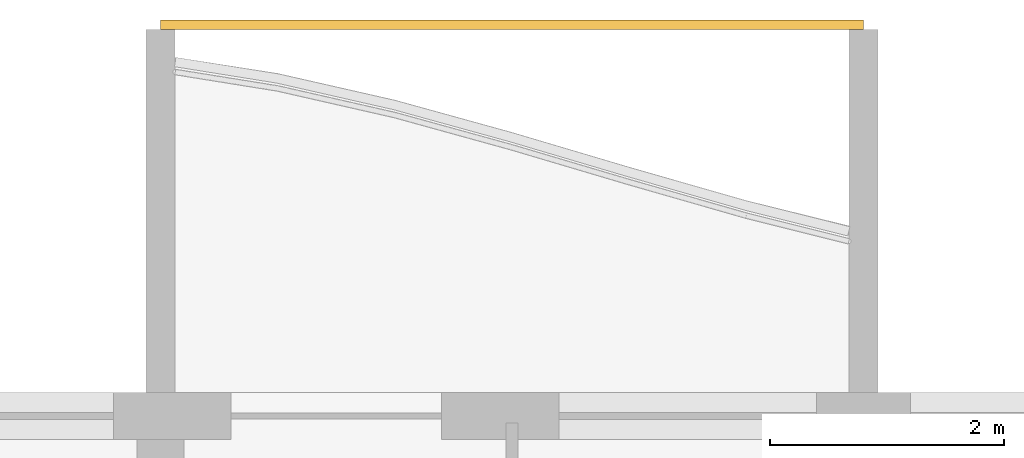
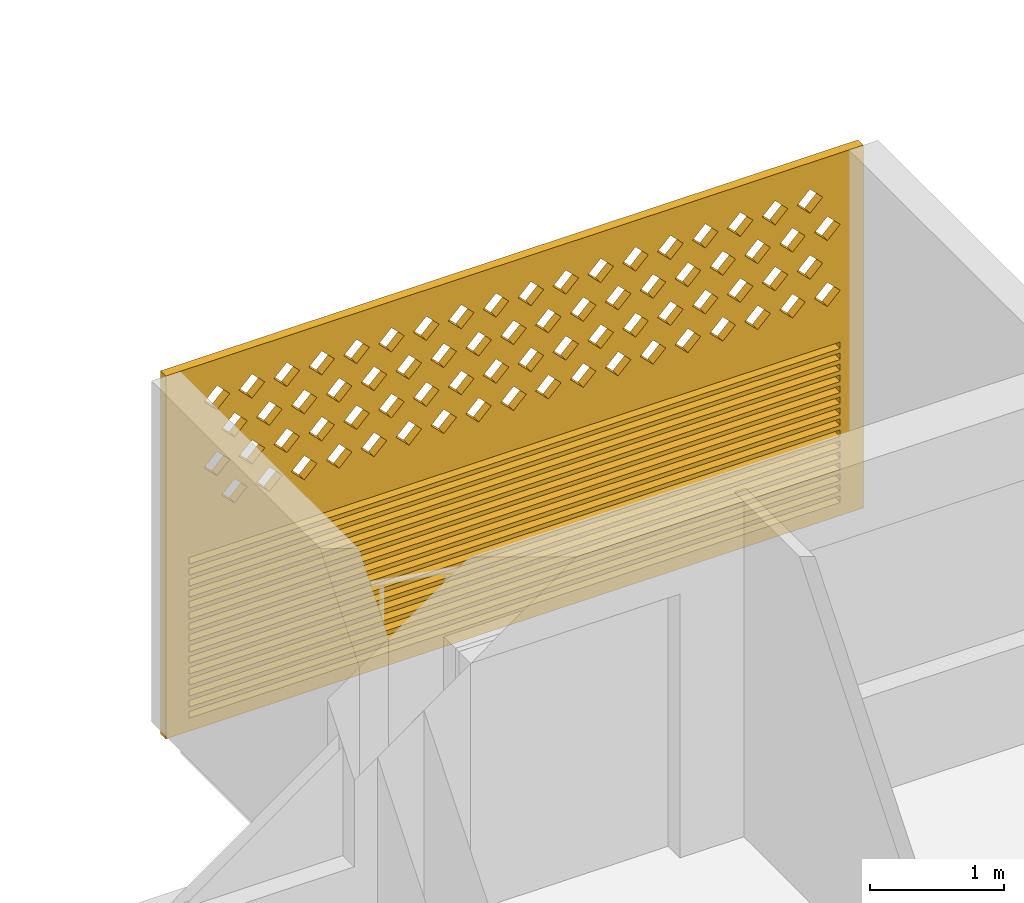
# One storey, part 25 of 44: 1 covering.
"""IFC4 building model written with IfcOpenShell, lengths in metres."""

from ifc_helpers import new_model, si_unit, direction, frame, origin, place, context, subcontext, project, spatial, polyline, outline, extrude, source, transform, mapped, material, material_profile, profile_set, type_object, element, save


model = new_model("IFC4")

# Units and contexts
model_context = context("Model", 3, precision=1e-05, world=origin(), true_north=direction((0.0, 1.0)))
body_context = subcontext(model_context, "Body", "Model", "MODEL_VIEW")
ifc_project = project(units=[si_unit("LENGTHUNIT", "METRE"), si_unit("AREAUNIT", "SQUARE_METRE"), si_unit("VOLUMEUNIT", "CUBIC_METRE"), si_unit("PLANEANGLEUNIT", "RADIAN"), si_unit("MASSUNIT", "GRAM", prefix="KILO")], contexts=[model_context])

# Site, building, storey
site_placement = place(None, origin())
site = spatial("IfcSite", under=ifc_project, at=site_placement, CompositionType="ELEMENT")
building_placement = place(site_placement, origin())
building = spatial("IfcBuilding", under=site, at=building_placement, Name="Poui Terraces", CompositionType="ELEMENT")
storey_placement = place(building_placement, frame((0.0, 0.0, 30.0)))
storey = spatial("IfcBuildingStorey", under=building, at=storey_placement, Name="L07", CompositionType="ELEMENT", Elevation=30.0)

# Covering
ifc_material = material(Name="Terracotta screen", Category="masonry")
ifc_material_profile = material_profile(ifc_material, outline(polyline([(-3.0, -1.64990234375), (3.0, -1.64990234375), (3.0, 1.64990234375), (-3.0, 1.64990234375), (-3.0, -1.64990234375)]), holes=[polyline([(-2.800048828125, 0.39990234375), (-2.68994140625, 0.2900390625), (-2.580078125, 0.39990234375), (-2.68994140625, 0.510009765625), (-2.800048828125, 0.39990234375)]), polyline([(-2.5, 0.39990234375), (-2.389892578125, 0.2900390625), (-2.280029296875, 0.39990234375), (-2.389892578125, 0.510009765625), (-2.5, 0.39990234375)]), polyline([(-2.199951171875, 0.39990234375), (-2.090087890625, 0.2900390625), (-1.97998046875, 0.39990234375), (-2.090087890625, 0.510009765625), (-2.199951171875, 0.39990234375)]), polyline([(-1.89990234375, 0.39990234375), (-1.7900390625, 0.2900390625), (-1.679931640625, 0.39990234375), (-1.7900390625, 0.510009765625), (-1.89990234375, 0.39990234375)]), polyline([(-1.60009765625, 0.39990234375), (-1.489990234375, 0.2900390625), (-1.3798828125, 0.39990234375), (-1.489990234375, 0.510009765625), (-1.60009765625, 0.39990234375)]), polyline([(-1.300048828125, 0.39990234375), (-1.18994140625, 0.2900390625), (-1.080078125, 0.39990234375), (-1.18994140625, 0.510009765625), (-1.300048828125, 0.39990234375)]), polyline([(-1.0, 0.39990234375), (-0.889892578125, 0.2900390625), (-0.780029296875, 0.39990234375), (-0.889892578125, 0.510009765625), (-1.0, 0.39990234375)]), polyline([(-0.699951171875, 0.39990234375), (-0.590087890625, 0.2900390625), (-0.47998046875, 0.39990234375), (-0.590087890625, 0.510009765625), (-0.699951171875, 0.39990234375)]), polyline([(-0.39990234375, 0.39990234375), (-0.2900390625, 0.2900390625), (-0.179931640625, 0.39990234375), (-0.2900390625, 0.510009765625), (-0.39990234375, 0.39990234375)]), polyline([(-0.10009765625, 0.39990234375), (0.010009765625, 0.2900390625), (0.1201171875, 0.39990234375), (0.010009765625, 0.510009765625), (-0.10009765625, 0.39990234375)]), polyline([(0.199951171875, 0.39990234375), (0.31005859375, 0.2900390625), (0.419921875, 0.39990234375), (0.31005859375, 0.510009765625), (0.199951171875, 0.39990234375)]), polyline([(0.5, 0.39990234375), (0.610107421875, 0.2900390625), (0.719970703125, 0.39990234375), (0.610107421875, 0.510009765625), (0.5, 0.39990234375)]), polyline([(0.800048828125, 0.39990234375), (0.909912109375, 0.2900390625), (1.02001953125, 0.39990234375), (0.909912109375, 0.510009765625), (0.800048828125, 0.39990234375)]), polyline([(1.10009765625, 0.39990234375), (1.2099609375, 0.2900390625), (1.320068359375, 0.39990234375), (1.2099609375, 0.510009765625), (1.10009765625, 0.39990234375)]), polyline([(1.39990234375, 0.39990234375), (1.510009765625, 0.2900390625), (1.6201171875, 0.39990234375), (1.510009765625, 0.510009765625), (1.39990234375, 0.39990234375)]), polyline([(1.699951171875, 0.39990234375), (1.81005859375, 0.2900390625), (1.919921875, 0.39990234375), (1.81005859375, 0.510009765625), (1.699951171875, 0.39990234375)]), polyline([(2.0, 0.39990234375), (2.110107421875, 0.2900390625), (2.219970703125, 0.39990234375), (2.110107421875, 0.510009765625), (2.0, 0.39990234375)]), polyline([(2.300048828125, 0.39990234375), (2.409912109375, 0.2900390625), (2.52001953125, 0.39990234375), (2.409912109375, 0.510009765625), (2.300048828125, 0.39990234375)]), polyline([(-2.64990234375, 0.699951171875), (-2.5400390625, 0.590087890625), (-2.429931640625, 0.699951171875), (-2.5400390625, 0.81005859375), (-2.64990234375, 0.699951171875)]), polyline([(-2.35009765625, 0.699951171875), (-2.239990234375, 0.590087890625), (-2.1298828125, 0.699951171875), (-2.239990234375, 0.81005859375), (-2.35009765625, 0.699951171875)]), polyline([(-2.050048828125, 0.699951171875), (-1.93994140625, 0.590087890625), (-1.830078125, 0.699951171875), (-1.93994140625, 0.81005859375), (-2.050048828125, 0.699951171875)]), polyline([(-1.75, 0.699951171875), (-1.639892578125, 0.590087890625), (-1.530029296875, 0.699951171875), (-1.639892578125, 0.81005859375), (-1.75, 0.699951171875)]), polyline([(-1.449951171875, 0.699951171875), (-1.340087890625, 0.590087890625), (-1.22998046875, 0.699951171875), (-1.340087890625, 0.81005859375), (-1.449951171875, 0.699951171875)]), polyline([(-1.14990234375, 0.699951171875), (-1.0400390625, 0.590087890625), (-0.929931640625, 0.699951171875), (-1.0400390625, 0.81005859375), (-1.14990234375, 0.699951171875)]), polyline([(-0.85009765625, 0.699951171875), (-0.739990234375, 0.590087890625), (-0.6298828125, 0.699951171875), (-0.739990234375, 0.81005859375), (-0.85009765625, 0.699951171875)]), polyline([(-0.550048828125, 0.699951171875), (-0.43994140625, 0.590087890625), (-0.330078125, 0.699951171875), (-0.43994140625, 0.81005859375), (-0.550048828125, 0.699951171875)]), polyline([(-0.25, 0.699951171875), (-0.139892578125, 0.590087890625), (-0.030029296875, 0.699951171875), (-0.139892578125, 0.81005859375), (-0.25, 0.699951171875)]), polyline([(0.050048828125, 0.699951171875), (0.159912109375, 0.590087890625), (0.27001953125, 0.699951171875), (0.159912109375, 0.81005859375), (0.050048828125, 0.699951171875)]), polyline([(0.35009765625, 0.699951171875), (0.4599609375, 0.590087890625), (0.570068359375, 0.699951171875), (0.4599609375, 0.81005859375), (0.35009765625, 0.699951171875)]), polyline([(0.64990234375, 0.699951171875), (0.760009765625, 0.590087890625), (0.8701171875, 0.699951171875), (0.760009765625, 0.81005859375), (0.64990234375, 0.699951171875)]), polyline([(0.949951171875, 0.699951171875), (1.06005859375, 0.590087890625), (1.169921875, 0.699951171875), (1.06005859375, 0.81005859375), (0.949951171875, 0.699951171875)]), polyline([(1.25, 0.699951171875), (1.360107421875, 0.590087890625), (1.469970703125, 0.699951171875), (1.360107421875, 0.81005859375), (1.25, 0.699951171875)]), polyline([(1.550048828125, 0.699951171875), (1.659912109375, 0.590087890625), (1.77001953125, 0.699951171875), (1.659912109375, 0.81005859375), (1.550048828125, 0.699951171875)]), polyline([(1.85009765625, 0.699951171875), (1.9599609375, 0.590087890625), (2.070068359375, 0.699951171875), (1.9599609375, 0.81005859375), (1.85009765625, 0.699951171875)]), polyline([(2.14990234375, 0.699951171875), (2.260009765625, 0.590087890625), (2.3701171875, 0.699951171875), (2.260009765625, 0.81005859375), (2.14990234375, 0.699951171875)]), polyline([(2.449951171875, 0.699951171875), (2.56005859375, 0.590087890625), (2.669921875, 0.699951171875), (2.56005859375, 0.81005859375), (2.449951171875, 0.699951171875)]), polyline([(-2.800048828125, 1.0), (-2.68994140625, 0.889892578125), (-2.580078125, 1.0), (-2.68994140625, 1.110107421875), (-2.800048828125, 1.0)]), polyline([(-2.5, 1.0), (-2.389892578125, 0.889892578125), (-2.280029296875, 1.0), (-2.389892578125, 1.110107421875), (-2.5, 1.0)]), polyline([(-2.199951171875, 1.0), (-2.090087890625, 0.889892578125), (-1.97998046875, 1.0), (-2.090087890625, 1.110107421875), (-2.199951171875, 1.0)]), polyline([(-1.89990234375, 1.0), (-1.7900390625, 0.889892578125), (-1.679931640625, 1.0), (-1.7900390625, 1.110107421875), (-1.89990234375, 1.0)]), polyline([(-1.60009765625, 1.0), (-1.489990234375, 0.889892578125), (-1.3798828125, 1.0), (-1.489990234375, 1.110107421875), (-1.60009765625, 1.0)]), polyline([(-1.300048828125, 1.0), (-1.18994140625, 0.889892578125), (-1.080078125, 1.0), (-1.18994140625, 1.110107421875), (-1.300048828125, 1.0)]), polyline([(-1.0, 1.0), (-0.889892578125, 0.889892578125), (-0.780029296875, 1.0), (-0.889892578125, 1.110107421875), (-1.0, 1.0)]), polyline([(-0.699951171875, 1.0), (-0.590087890625, 0.889892578125), (-0.47998046875, 1.0), (-0.590087890625, 1.110107421875), (-0.699951171875, 1.0)]), polyline([(-0.39990234375, 1.0), (-0.2900390625, 0.889892578125), (-0.179931640625, 1.0), (-0.2900390625, 1.110107421875), (-0.39990234375, 1.0)]), polyline([(-0.10009765625, 1.0), (0.010009765625, 0.889892578125), (0.1201171875, 1.0), (0.010009765625, 1.110107421875), (-0.10009765625, 1.0)]), polyline([(0.199951171875, 1.0), (0.31005859375, 0.889892578125), (0.419921875, 1.0), (0.31005859375, 1.110107421875), (0.199951171875, 1.0)]), polyline([(0.5, 1.0), (0.610107421875, 0.889892578125), (0.719970703125, 1.0), (0.610107421875, 1.110107421875), (0.5, 1.0)]), polyline([(0.800048828125, 1.0), (0.909912109375, 0.889892578125), (1.02001953125, 1.0), (0.909912109375, 1.110107421875), (0.800048828125, 1.0)]), polyline([(1.10009765625, 1.0), (1.2099609375, 0.889892578125), (1.320068359375, 1.0), (1.2099609375, 1.110107421875), (1.10009765625, 1.0)]), polyline([(1.39990234375, 1.0), (1.510009765625, 0.889892578125), (1.6201171875, 1.0), (1.510009765625, 1.110107421875), (1.39990234375, 1.0)]), polyline([(1.699951171875, 1.0), (1.81005859375, 0.889892578125), (1.919921875, 1.0), (1.81005859375, 1.110107421875), (1.699951171875, 1.0)]), polyline([(2.0, 1.0), (2.110107421875, 0.889892578125), (2.219970703125, 1.0), (2.110107421875, 1.110107421875), (2.0, 1.0)]), polyline([(2.300048828125, 1.0), (2.409912109375, 0.889892578125), (2.52001953125, 1.0), (2.409912109375, 1.110107421875), (2.300048828125, 1.0)]), polyline([(-2.64990234375, 1.300048828125), (-2.5400390625, 1.18994140625), (-2.429931640625, 1.300048828125), (-2.5400390625, 1.409912109375), (-2.64990234375, 1.300048828125)]), polyline([(-2.35009765625, 1.300048828125), (-2.239990234375, 1.18994140625), (-2.1298828125, 1.300048828125), (-2.239990234375, 1.409912109375), (-2.35009765625, 1.300048828125)]), polyline([(-2.050048828125, 1.300048828125), (-1.93994140625, 1.18994140625), (-1.830078125, 1.300048828125), (-1.93994140625, 1.409912109375), (-2.050048828125, 1.300048828125)]), polyline([(-1.75, 1.300048828125), (-1.639892578125, 1.18994140625), (-1.530029296875, 1.300048828125), (-1.639892578125, 1.409912109375), (-1.75, 1.300048828125)]), polyline([(-1.449951171875, 1.300048828125), (-1.340087890625, 1.18994140625), (-1.22998046875, 1.300048828125), (-1.340087890625, 1.409912109375), (-1.449951171875, 1.300048828125)]), polyline([(-1.14990234375, 1.300048828125), (-1.0400390625, 1.18994140625), (-0.929931640625, 1.300048828125), (-1.0400390625, 1.409912109375), (-1.14990234375, 1.300048828125)]), polyline([(-0.85009765625, 1.300048828125), (-0.739990234375, 1.18994140625), (-0.6298828125, 1.300048828125), (-0.739990234375, 1.409912109375), (-0.85009765625, 1.300048828125)]), polyline([(-0.550048828125, 1.300048828125), (-0.43994140625, 1.18994140625), (-0.330078125, 1.300048828125), (-0.43994140625, 1.409912109375), (-0.550048828125, 1.300048828125)]), polyline([(-0.25, 1.300048828125), (-0.139892578125, 1.18994140625), (-0.030029296875, 1.300048828125), (-0.139892578125, 1.409912109375), (-0.25, 1.300048828125)]), polyline([(0.050048828125, 1.300048828125), (0.159912109375, 1.18994140625), (0.27001953125, 1.300048828125), (0.159912109375, 1.409912109375), (0.050048828125, 1.300048828125)]), polyline([(0.35009765625, 1.300048828125), (0.4599609375, 1.18994140625), (0.570068359375, 1.300048828125), (0.4599609375, 1.409912109375), (0.35009765625, 1.300048828125)]), polyline([(0.64990234375, 1.300048828125), (0.760009765625, 1.18994140625), (0.8701171875, 1.300048828125), (0.760009765625, 1.409912109375), (0.64990234375, 1.300048828125)]), polyline([(0.949951171875, 1.300048828125), (1.06005859375, 1.18994140625), (1.169921875, 1.300048828125), (1.06005859375, 1.409912109375), (0.949951171875, 1.300048828125)]), polyline([(1.25, 1.300048828125), (1.360107421875, 1.18994140625), (1.469970703125, 1.300048828125), (1.360107421875, 1.409912109375), (1.25, 1.300048828125)]), polyline([(1.550048828125, 1.300048828125), (1.659912109375, 1.18994140625), (1.77001953125, 1.300048828125), (1.659912109375, 1.409912109375), (1.550048828125, 1.300048828125)]), polyline([(1.85009765625, 1.300048828125), (1.9599609375, 1.18994140625), (2.070068359375, 1.300048828125), (1.9599609375, 1.409912109375), (1.85009765625, 1.300048828125)]), polyline([(2.14990234375, 1.300048828125), (2.260009765625, 1.18994140625), (2.3701171875, 1.300048828125), (2.260009765625, 1.409912109375), (2.14990234375, 1.300048828125)]), polyline([(2.449951171875, 1.300048828125), (2.56005859375, 1.18994140625), (2.669921875, 1.300048828125), (2.56005859375, 1.409912109375), (2.449951171875, 1.300048828125)]), polyline([(-2.800048828125, -1.530029296875), (2.800048828125, -1.530029296875), (2.800048828125, -1.469970703125), (-2.800048828125, -1.469970703125), (-2.800048828125, -1.530029296875)]), polyline([(-2.800048828125, -1.429931640625), (2.800048828125, -1.429931640625), (2.800048828125, -1.3701171875), (-2.800048828125, -1.3701171875), (-2.800048828125, -1.429931640625)]), polyline([(-2.800048828125, -1.330078125), (2.800048828125, -1.330078125), (2.800048828125, -1.27001953125), (-2.800048828125, -1.27001953125), (-2.800048828125, -1.330078125)]), polyline([(-2.800048828125, -1.22998046875), (2.800048828125, -1.22998046875), (2.800048828125, -1.169921875), (-2.800048828125, -1.169921875), (-2.800048828125, -1.22998046875)]), polyline([(-2.800048828125, -1.1298828125), (2.800048828125, -1.1298828125), (2.800048828125, -1.070068359375), (-2.800048828125, -1.070068359375), (-2.800048828125, -1.1298828125)]), polyline([(-2.800048828125, -1.030029296875), (2.800048828125, -1.030029296875), (2.800048828125, -0.969970703125), (-2.800048828125, -0.969970703125), (-2.800048828125, -1.030029296875)]), polyline([(-2.800048828125, -0.929931640625), (2.800048828125, -0.929931640625), (2.800048828125, -0.8701171875), (-2.800048828125, -0.8701171875), (-2.800048828125, -0.929931640625)]), polyline([(-2.800048828125, -0.830078125), (2.800048828125, -0.830078125), (2.800048828125, -0.77001953125), (-2.800048828125, -0.77001953125), (-2.800048828125, -0.830078125)]), polyline([(-2.800048828125, -0.72998046875), (2.800048828125, -0.72998046875), (2.800048828125, -0.669921875), (-2.800048828125, -0.669921875), (-2.800048828125, -0.72998046875)]), polyline([(-2.800048828125, -0.6298828125), (2.800048828125, -0.6298828125), (2.800048828125, -0.570068359375), (-2.800048828125, -0.570068359375), (-2.800048828125, -0.6298828125)]), polyline([(-2.800048828125, -0.530029296875), (2.800048828125, -0.530029296875), (2.800048828125, -0.469970703125), (-2.800048828125, -0.469970703125), (-2.800048828125, -0.530029296875)]), polyline([(-2.800048828125, -0.429931640625), (2.800048828125, -0.429931640625), (2.800048828125, -0.3701171875), (-2.800048828125, -0.3701171875), (-2.800048828125, -0.429931640625)]), polyline([(-2.800048828125, -0.330078125), (2.800048828125, -0.330078125), (2.800048828125, -0.27001953125), (-2.800048828125, -0.27001953125), (-2.800048828125, -0.330078125)]), polyline([(-2.800048828125, -0.22998046875), (2.800048828125, -0.22998046875), (2.800048828125, -0.169921875), (-2.800048828125, -0.169921875), (-2.800048828125, -0.22998046875)]), polyline([(-2.800048828125, -0.1298828125), (2.800048828125, -0.1298828125), (2.800048828125, -0.070068359375), (-2.800048828125, -0.070068359375), (-2.800048828125, -0.1298828125)])]), Name="TERRACOTTA SCREEN AND JALOUSIE LOUVRE 6000X3300")
ifc_profile_set = profile_set([ifc_material_profile], Name="Terracotta screen")
covering_type = type_object("IfcCoveringType", Name="TERRACOTTA SCREEN AND JALOUSIE LOUVRE 6000X3300", PredefinedType="CLADDING", material=ifc_profile_set)
shared_shape = source(origin(), body_context, "Body", "SweptSolid", [
    extrude(outline(polyline([(-3.0, -1.64990234375), (3.0, -1.64990234375), (3.0, 1.64990234375), (-3.0, 1.64990234375), (-3.0, -1.64990234375)]), holes=[polyline([(-2.800048828125, 0.39990234375), (-2.68994140625, 0.2900390625), (-2.580078125, 0.39990234375), (-2.68994140625, 0.510009765625), (-2.800048828125, 0.39990234375)]), polyline([(-2.5, 0.39990234375), (-2.389892578125, 0.2900390625), (-2.280029296875, 0.39990234375), (-2.389892578125, 0.510009765625), (-2.5, 0.39990234375)]), polyline([(-2.199951171875, 0.39990234375), (-2.090087890625, 0.2900390625), (-1.97998046875, 0.39990234375), (-2.090087890625, 0.510009765625), (-2.199951171875, 0.39990234375)]), polyline([(-1.89990234375, 0.39990234375), (-1.7900390625, 0.2900390625), (-1.679931640625, 0.39990234375), (-1.7900390625, 0.510009765625), (-1.89990234375, 0.39990234375)]), polyline([(-1.60009765625, 0.39990234375), (-1.489990234375, 0.2900390625), (-1.3798828125, 0.39990234375), (-1.489990234375, 0.510009765625), (-1.60009765625, 0.39990234375)]), polyline([(-1.300048828125, 0.39990234375), (-1.18994140625, 0.2900390625), (-1.080078125, 0.39990234375), (-1.18994140625, 0.510009765625), (-1.300048828125, 0.39990234375)]), polyline([(-1.0, 0.39990234375), (-0.889892578125, 0.2900390625), (-0.780029296875, 0.39990234375), (-0.889892578125, 0.510009765625), (-1.0, 0.39990234375)]), polyline([(-0.699951171875, 0.39990234375), (-0.590087890625, 0.2900390625), (-0.47998046875, 0.39990234375), (-0.590087890625, 0.510009765625), (-0.699951171875, 0.39990234375)]), polyline([(-0.39990234375, 0.39990234375), (-0.2900390625, 0.2900390625), (-0.179931640625, 0.39990234375), (-0.2900390625, 0.510009765625), (-0.39990234375, 0.39990234375)]), polyline([(-0.10009765625, 0.39990234375), (0.010009765625, 0.2900390625), (0.1201171875, 0.39990234375), (0.010009765625, 0.510009765625), (-0.10009765625, 0.39990234375)]), polyline([(0.199951171875, 0.39990234375), (0.31005859375, 0.2900390625), (0.419921875, 0.39990234375), (0.31005859375, 0.510009765625), (0.199951171875, 0.39990234375)]), polyline([(0.5, 0.39990234375), (0.610107421875, 0.2900390625), (0.719970703125, 0.39990234375), (0.610107421875, 0.510009765625), (0.5, 0.39990234375)]), polyline([(0.800048828125, 0.39990234375), (0.909912109375, 0.2900390625), (1.02001953125, 0.39990234375), (0.909912109375, 0.510009765625), (0.800048828125, 0.39990234375)]), polyline([(1.10009765625, 0.39990234375), (1.2099609375, 0.2900390625), (1.320068359375, 0.39990234375), (1.2099609375, 0.510009765625), (1.10009765625, 0.39990234375)]), polyline([(1.39990234375, 0.39990234375), (1.510009765625, 0.2900390625), (1.6201171875, 0.39990234375), (1.510009765625, 0.510009765625), (1.39990234375, 0.39990234375)]), polyline([(1.699951171875, 0.39990234375), (1.81005859375, 0.2900390625), (1.919921875, 0.39990234375), (1.81005859375, 0.510009765625), (1.699951171875, 0.39990234375)]), polyline([(2.0, 0.39990234375), (2.110107421875, 0.2900390625), (2.219970703125, 0.39990234375), (2.110107421875, 0.510009765625), (2.0, 0.39990234375)]), polyline([(2.300048828125, 0.39990234375), (2.409912109375, 0.2900390625), (2.52001953125, 0.39990234375), (2.409912109375, 0.510009765625), (2.300048828125, 0.39990234375)]), polyline([(-2.64990234375, 0.699951171875), (-2.5400390625, 0.590087890625), (-2.429931640625, 0.699951171875), (-2.5400390625, 0.81005859375), (-2.64990234375, 0.699951171875)]), polyline([(-2.35009765625, 0.699951171875), (-2.239990234375, 0.590087890625), (-2.1298828125, 0.699951171875), (-2.239990234375, 0.81005859375), (-2.35009765625, 0.699951171875)]), polyline([(-2.050048828125, 0.699951171875), (-1.93994140625, 0.590087890625), (-1.830078125, 0.699951171875), (-1.93994140625, 0.81005859375), (-2.050048828125, 0.699951171875)]), polyline([(-1.75, 0.699951171875), (-1.639892578125, 0.590087890625), (-1.530029296875, 0.699951171875), (-1.639892578125, 0.81005859375), (-1.75, 0.699951171875)]), polyline([(-1.449951171875, 0.699951171875), (-1.340087890625, 0.590087890625), (-1.22998046875, 0.699951171875), (-1.340087890625, 0.81005859375), (-1.449951171875, 0.699951171875)]), polyline([(-1.14990234375, 0.699951171875), (-1.0400390625, 0.590087890625), (-0.929931640625, 0.699951171875), (-1.0400390625, 0.81005859375), (-1.14990234375, 0.699951171875)]), polyline([(-0.85009765625, 0.699951171875), (-0.739990234375, 0.590087890625), (-0.6298828125, 0.699951171875), (-0.739990234375, 0.81005859375), (-0.85009765625, 0.699951171875)]), polyline([(-0.550048828125, 0.699951171875), (-0.43994140625, 0.590087890625), (-0.330078125, 0.699951171875), (-0.43994140625, 0.81005859375), (-0.550048828125, 0.699951171875)]), polyline([(-0.25, 0.699951171875), (-0.139892578125, 0.590087890625), (-0.030029296875, 0.699951171875), (-0.139892578125, 0.81005859375), (-0.25, 0.699951171875)]), polyline([(0.050048828125, 0.699951171875), (0.159912109375, 0.590087890625), (0.27001953125, 0.699951171875), (0.159912109375, 0.81005859375), (0.050048828125, 0.699951171875)]), polyline([(0.35009765625, 0.699951171875), (0.4599609375, 0.590087890625), (0.570068359375, 0.699951171875), (0.4599609375, 0.81005859375), (0.35009765625, 0.699951171875)]), polyline([(0.64990234375, 0.699951171875), (0.760009765625, 0.590087890625), (0.8701171875, 0.699951171875), (0.760009765625, 0.81005859375), (0.64990234375, 0.699951171875)]), polyline([(0.949951171875, 0.699951171875), (1.06005859375, 0.590087890625), (1.169921875, 0.699951171875), (1.06005859375, 0.81005859375), (0.949951171875, 0.699951171875)]), polyline([(1.25, 0.699951171875), (1.360107421875, 0.590087890625), (1.469970703125, 0.699951171875), (1.360107421875, 0.81005859375), (1.25, 0.699951171875)]), polyline([(1.550048828125, 0.699951171875), (1.659912109375, 0.590087890625), (1.77001953125, 0.699951171875), (1.659912109375, 0.81005859375), (1.550048828125, 0.699951171875)]), polyline([(1.85009765625, 0.699951171875), (1.9599609375, 0.590087890625), (2.070068359375, 0.699951171875), (1.9599609375, 0.81005859375), (1.85009765625, 0.699951171875)]), polyline([(2.14990234375, 0.699951171875), (2.260009765625, 0.590087890625), (2.3701171875, 0.699951171875), (2.260009765625, 0.81005859375), (2.14990234375, 0.699951171875)]), polyline([(2.449951171875, 0.699951171875), (2.56005859375, 0.590087890625), (2.669921875, 0.699951171875), (2.56005859375, 0.81005859375), (2.449951171875, 0.699951171875)]), polyline([(-2.800048828125, 1.0), (-2.68994140625, 0.889892578125), (-2.580078125, 1.0), (-2.68994140625, 1.110107421875), (-2.800048828125, 1.0)]), polyline([(-2.5, 1.0), (-2.389892578125, 0.889892578125), (-2.280029296875, 1.0), (-2.389892578125, 1.110107421875), (-2.5, 1.0)]), polyline([(-2.199951171875, 1.0), (-2.090087890625, 0.889892578125), (-1.97998046875, 1.0), (-2.090087890625, 1.110107421875), (-2.199951171875, 1.0)]), polyline([(-1.89990234375, 1.0), (-1.7900390625, 0.889892578125), (-1.679931640625, 1.0), (-1.7900390625, 1.110107421875), (-1.89990234375, 1.0)]), polyline([(-1.60009765625, 1.0), (-1.489990234375, 0.889892578125), (-1.3798828125, 1.0), (-1.489990234375, 1.110107421875), (-1.60009765625, 1.0)]), polyline([(-1.300048828125, 1.0), (-1.18994140625, 0.889892578125), (-1.080078125, 1.0), (-1.18994140625, 1.110107421875), (-1.300048828125, 1.0)]), polyline([(-1.0, 1.0), (-0.889892578125, 0.889892578125), (-0.780029296875, 1.0), (-0.889892578125, 1.110107421875), (-1.0, 1.0)]), polyline([(-0.699951171875, 1.0), (-0.590087890625, 0.889892578125), (-0.47998046875, 1.0), (-0.590087890625, 1.110107421875), (-0.699951171875, 1.0)]), polyline([(-0.39990234375, 1.0), (-0.2900390625, 0.889892578125), (-0.179931640625, 1.0), (-0.2900390625, 1.110107421875), (-0.39990234375, 1.0)]), polyline([(-0.10009765625, 1.0), (0.010009765625, 0.889892578125), (0.1201171875, 1.0), (0.010009765625, 1.110107421875), (-0.10009765625, 1.0)]), polyline([(0.199951171875, 1.0), (0.31005859375, 0.889892578125), (0.419921875, 1.0), (0.31005859375, 1.110107421875), (0.199951171875, 1.0)]), polyline([(0.5, 1.0), (0.610107421875, 0.889892578125), (0.719970703125, 1.0), (0.610107421875, 1.110107421875), (0.5, 1.0)]), polyline([(0.800048828125, 1.0), (0.909912109375, 0.889892578125), (1.02001953125, 1.0), (0.909912109375, 1.110107421875), (0.800048828125, 1.0)]), polyline([(1.10009765625, 1.0), (1.2099609375, 0.889892578125), (1.320068359375, 1.0), (1.2099609375, 1.110107421875), (1.10009765625, 1.0)]), polyline([(1.39990234375, 1.0), (1.510009765625, 0.889892578125), (1.6201171875, 1.0), (1.510009765625, 1.110107421875), (1.39990234375, 1.0)]), polyline([(1.699951171875, 1.0), (1.81005859375, 0.889892578125), (1.919921875, 1.0), (1.81005859375, 1.110107421875), (1.699951171875, 1.0)]), polyline([(2.0, 1.0), (2.110107421875, 0.889892578125), (2.219970703125, 1.0), (2.110107421875, 1.110107421875), (2.0, 1.0)]), polyline([(2.300048828125, 1.0), (2.409912109375, 0.889892578125), (2.52001953125, 1.0), (2.409912109375, 1.110107421875), (2.300048828125, 1.0)]), polyline([(-2.64990234375, 1.300048828125), (-2.5400390625, 1.18994140625), (-2.429931640625, 1.300048828125), (-2.5400390625, 1.409912109375), (-2.64990234375, 1.300048828125)]), polyline([(-2.35009765625, 1.300048828125), (-2.239990234375, 1.18994140625), (-2.1298828125, 1.300048828125), (-2.239990234375, 1.409912109375), (-2.35009765625, 1.300048828125)]), polyline([(-2.050048828125, 1.300048828125), (-1.93994140625, 1.18994140625), (-1.830078125, 1.300048828125), (-1.93994140625, 1.409912109375), (-2.050048828125, 1.300048828125)]), polyline([(-1.75, 1.300048828125), (-1.639892578125, 1.18994140625), (-1.530029296875, 1.300048828125), (-1.639892578125, 1.409912109375), (-1.75, 1.300048828125)]), polyline([(-1.449951171875, 1.300048828125), (-1.340087890625, 1.18994140625), (-1.22998046875, 1.300048828125), (-1.340087890625, 1.409912109375), (-1.449951171875, 1.300048828125)]), polyline([(-1.14990234375, 1.300048828125), (-1.0400390625, 1.18994140625), (-0.929931640625, 1.300048828125), (-1.0400390625, 1.409912109375), (-1.14990234375, 1.300048828125)]), polyline([(-0.85009765625, 1.300048828125), (-0.739990234375, 1.18994140625), (-0.6298828125, 1.300048828125), (-0.739990234375, 1.409912109375), (-0.85009765625, 1.300048828125)]), polyline([(-0.550048828125, 1.300048828125), (-0.43994140625, 1.18994140625), (-0.330078125, 1.300048828125), (-0.43994140625, 1.409912109375), (-0.550048828125, 1.300048828125)]), polyline([(-0.25, 1.300048828125), (-0.139892578125, 1.18994140625), (-0.030029296875, 1.300048828125), (-0.139892578125, 1.409912109375), (-0.25, 1.300048828125)]), polyline([(0.050048828125, 1.300048828125), (0.159912109375, 1.18994140625), (0.27001953125, 1.300048828125), (0.159912109375, 1.409912109375), (0.050048828125, 1.300048828125)]), polyline([(0.35009765625, 1.300048828125), (0.4599609375, 1.18994140625), (0.570068359375, 1.300048828125), (0.4599609375, 1.409912109375), (0.35009765625, 1.300048828125)]), polyline([(0.64990234375, 1.300048828125), (0.760009765625, 1.18994140625), (0.8701171875, 1.300048828125), (0.760009765625, 1.409912109375), (0.64990234375, 1.300048828125)]), polyline([(0.949951171875, 1.300048828125), (1.06005859375, 1.18994140625), (1.169921875, 1.300048828125), (1.06005859375, 1.409912109375), (0.949951171875, 1.300048828125)]), polyline([(1.25, 1.300048828125), (1.360107421875, 1.18994140625), (1.469970703125, 1.300048828125), (1.360107421875, 1.409912109375), (1.25, 1.300048828125)]), polyline([(1.550048828125, 1.300048828125), (1.659912109375, 1.18994140625), (1.77001953125, 1.300048828125), (1.659912109375, 1.409912109375), (1.550048828125, 1.300048828125)]), polyline([(1.85009765625, 1.300048828125), (1.9599609375, 1.18994140625), (2.070068359375, 1.300048828125), (1.9599609375, 1.409912109375), (1.85009765625, 1.300048828125)]), polyline([(2.14990234375, 1.300048828125), (2.260009765625, 1.18994140625), (2.3701171875, 1.300048828125), (2.260009765625, 1.409912109375), (2.14990234375, 1.300048828125)]), polyline([(2.449951171875, 1.300048828125), (2.56005859375, 1.18994140625), (2.669921875, 1.300048828125), (2.56005859375, 1.409912109375), (2.449951171875, 1.300048828125)]), polyline([(-2.800048828125, -1.530029296875), (2.800048828125, -1.530029296875), (2.800048828125, -1.469970703125), (-2.800048828125, -1.469970703125), (-2.800048828125, -1.530029296875)]), polyline([(-2.800048828125, -1.429931640625), (2.800048828125, -1.429931640625), (2.800048828125, -1.3701171875), (-2.800048828125, -1.3701171875), (-2.800048828125, -1.429931640625)]), polyline([(-2.800048828125, -1.330078125), (2.800048828125, -1.330078125), (2.800048828125, -1.27001953125), (-2.800048828125, -1.27001953125), (-2.800048828125, -1.330078125)]), polyline([(-2.800048828125, -1.22998046875), (2.800048828125, -1.22998046875), (2.800048828125, -1.169921875), (-2.800048828125, -1.169921875), (-2.800048828125, -1.22998046875)]), polyline([(-2.800048828125, -1.1298828125), (2.800048828125, -1.1298828125), (2.800048828125, -1.070068359375), (-2.800048828125, -1.070068359375), (-2.800048828125, -1.1298828125)]), polyline([(-2.800048828125, -1.030029296875), (2.800048828125, -1.030029296875), (2.800048828125, -0.969970703125), (-2.800048828125, -0.969970703125), (-2.800048828125, -1.030029296875)]), polyline([(-2.800048828125, -0.929931640625), (2.800048828125, -0.929931640625), (2.800048828125, -0.8701171875), (-2.800048828125, -0.8701171875), (-2.800048828125, -0.929931640625)]), polyline([(-2.800048828125, -0.830078125), (2.800048828125, -0.830078125), (2.800048828125, -0.77001953125), (-2.800048828125, -0.77001953125), (-2.800048828125, -0.830078125)]), polyline([(-2.800048828125, -0.72998046875), (2.800048828125, -0.72998046875), (2.800048828125, -0.669921875), (-2.800048828125, -0.669921875), (-2.800048828125, -0.72998046875)]), polyline([(-2.800048828125, -0.6298828125), (2.800048828125, -0.6298828125), (2.800048828125, -0.570068359375), (-2.800048828125, -0.570068359375), (-2.800048828125, -0.6298828125)]), polyline([(-2.800048828125, -0.530029296875), (2.800048828125, -0.530029296875), (2.800048828125, -0.469970703125), (-2.800048828125, -0.469970703125), (-2.800048828125, -0.530029296875)]), polyline([(-2.800048828125, -0.429931640625), (2.800048828125, -0.429931640625), (2.800048828125, -0.3701171875), (-2.800048828125, -0.3701171875), (-2.800048828125, -0.429931640625)]), polyline([(-2.800048828125, -0.330078125), (2.800048828125, -0.330078125), (2.800048828125, -0.27001953125), (-2.800048828125, -0.27001953125), (-2.800048828125, -0.330078125)]), polyline([(-2.800048828125, -0.22998046875), (2.800048828125, -0.22998046875), (2.800048828125, -0.169921875), (-2.800048828125, -0.169921875), (-2.800048828125, -0.22998046875)]), polyline([(-2.800048828125, -0.1298828125), (2.800048828125, -0.1298828125), (2.800048828125, -0.070068359375), (-2.800048828125, -0.070068359375), (-2.800048828125, -0.1298828125)])]), origin(), (0.0, 0.0, 1.0), 0.079833984375),
])
covering_placement = place(storey_placement, frame((21.0, 48.10009765625, 1.449951171875), z_axis=(0.0, 1.0, 0.0), x_axis=(-1.0, 0.0, 0.0)))
element("IfcCovering", 1, at=covering_placement, inside=storey, type_object=covering_type, Name="SOLAR SCREEN AND JALOUSIE LOUVRE", PredefinedType="CLADDING", context=body_context, shape_type="MappedRepresentation", body=[
    mapped(shared_shape, transform((0.0, 0.0, 0.0))),
])

save(model, "model.ifc")
